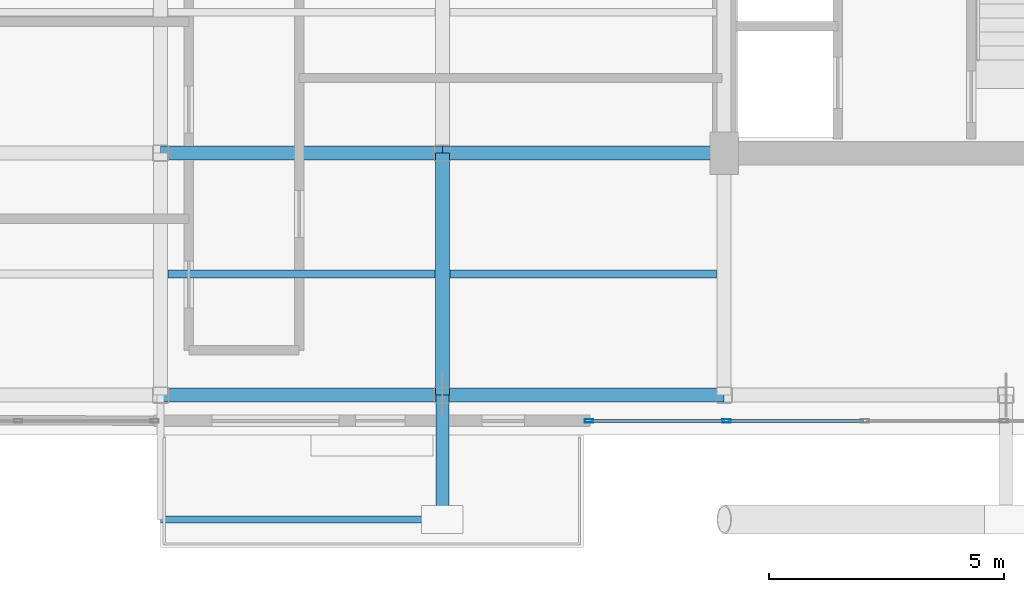
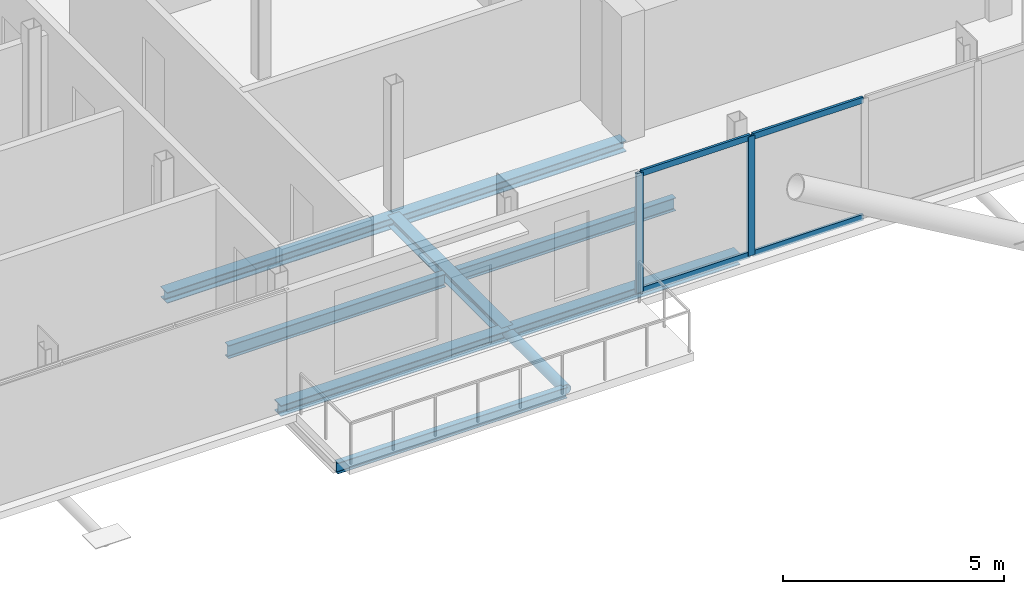
# One storey, part 4 of 18: 8 beams, 7 members, 1 element without a shape of its own.
"""IFC4 building model written with IfcOpenShell, lengths in metres."""

from ifc_helpers import new_model, si_unit, direction, frame, origin, origin_2d, place, context, subcontext, project, spatial, hollow_rectangle, hollow_circle, i_section, extrude, material, layer, layer_set, material_profile, profile_set, type_object, element, aggregate, save


model = new_model("IFC4")

# Units and contexts
model_context = context("Model", 3, precision=1e-05, world=origin(), true_north=direction((0.0, 1.0)))
body_context = subcontext(model_context, "Body", "Model", "MODEL_VIEW")
ifc_project = project(units=[si_unit("LENGTHUNIT", "METRE"), si_unit("AREAUNIT", "SQUARE_METRE"), si_unit("VOLUMEUNIT", "CUBIC_METRE"), si_unit("PLANEANGLEUNIT", "RADIAN"), si_unit("MASSUNIT", "GRAM", prefix="KILO"), si_unit("THERMODYNAMICTEMPERATUREUNIT", "KELVIN"), si_unit("POWERUNIT", "WATT")], contexts=[model_context])

# Site, building, storey
site_placement = place(None, origin())
site = spatial("IfcSite", under=ifc_project, at=site_placement, CompositionType="ELEMENT")
building_placement = place(site_placement, origin())
building = spatial("IfcBuilding", under=site, at=building_placement, Name="Svarakhadi Broadcast Tower", CompositionType="ELEMENT")
storey_placement = place(building_placement, frame((0.0, 0.0, 278.199951171875)))
storey = spatial("IfcBuildingStorey", under=building, at=storey_placement, Name="L70", CompositionType="ELEMENT", Elevation=278.199951171875)

# Beams
ifc_material_1 = material(Name="Steel S355J2 (IS 2062 E350C)", Category="steel")
ifc_material_profile_1 = material_profile(ifc_material_1, i_section(OverallWidth=0.169921875, OverallDepth=0.360107421875, WebThickness=0.008056640625, FlangeThickness=0.0126953125, FilletRadius=0.01806640625, at=origin_2d()), Name="NPB 360x170x57")
ifc_profile_set_1 = profile_set([ifc_material_profile_1], Name="Steel S355J2 (IS 2062 E350C)")
beam_type_1 = type_object("IfcBeamType", Name="Beam_NPB360", PredefinedType="BEAM", material=ifc_profile_set_1)
for number, where, z_axis, x_axis, name in (
    (1, (12.159912109375, 3.425048828125, -0.3798828125), (1.0, 0.0, 0.0), (0.0, 1.0, 0.0), "L70 Secondary Composite Beam SB007"),
    (2, (18.159912109375, 3.425048828125, -0.3798828125), (1.0, 0.0, 0.0), (0.0, 1.0, 0.0), "L70 Secondary Composite Beam SB010"),
):
    element("IfcBeam", number, at=place(storey_placement, frame(where, z_axis=z_axis, x_axis=x_axis)), inside=storey, type_object=beam_type_1, Name=name, PredefinedType="BEAM", context=body_context, shape_type="SweptSolid", body=[
        extrude(i_section(OverallWidth=0.169921875, OverallDepth=0.360107421875, WebThickness=0.008056640625, FlangeThickness=0.0126953125, FilletRadius=0.01806640625, at=origin_2d()), origin(), (0.0, 0.0, 1.0), 5.68017578125),
    ])

# Curtain wall, members
ifc_material_2 = material(Name="Anodised Bronze Aluminium AA 6063-T6", Category="aluminium")
ifc_layer = layer(ifc_material_2, 0.179931640625)
ifc_layer_set = layer_set([ifc_layer], Name="Anodised Bronze Aluminium AA 6063-T6")
curtain_wall_type = type_object("IfcCurtainWallType", Name="CW_Sys_05", PredefinedType="NOTDEFINED", material=ifc_layer_set)
curtain_wall_placement = place(storey_placement, origin())
curtain_wall = element("IfcCurtainWall", 3, at=curtain_wall_placement, inside=storey, type_object=curtain_wall_type, Name="L70 South Curtain Wall 16", PredefinedType="NOTDEFINED")
ifc_material_profile_2 = material_profile(ifc_material_2, hollow_rectangle(XDim=0.070068359375, YDim=0.179931640625, WallThickness=0.005615234375, at=origin_2d()), Name="ALU MULLION 180x70x6")
ifc_profile_set_2 = profile_set([ifc_material_profile_2], Name="Anodised Bronze Aluminium AA 6063-T6")
member_type_1 = type_object("IfcMemberType", Name="CW_Sys_05_Mul", PredefinedType="MULLION", material=ifc_profile_set_2)
member_1_placement = place(storey_placement, frame((24.044921875, 0.300048828125, 0.0), z_axis=(0.0, 0.0, 1.0), x_axis=(0.0, -1.0, 0.0)))
member_1 = element("IfcMember", 4, at=member_1_placement, type_object=member_type_1, Name="CW-05 mullion 4", PredefinedType="MULLION", context=body_context, shape_type="SweptSolid", body=[
    extrude(hollow_rectangle(XDim=0.070068359375, YDim=0.179931640625, WallThickness=0.005615234375, at=origin_2d()), origin(), (0.0, 0.0, 1.0), 3.300048828125),
])
member_2_placement = place(storey_placement, frame((21.125, 0.300048828125, 0.0), z_axis=(0.0, 0.0, 1.0), x_axis=(0.0, -1.0, 0.0)))
member_2 = element("IfcMember", 5, at=member_2_placement, type_object=member_type_1, Name="CW-05 mullion 5", PredefinedType="MULLION", context=body_context, shape_type="SweptSolid", body=[
    extrude(hollow_rectangle(XDim=0.070068359375, YDim=0.179931640625, WallThickness=0.005615234375, at=origin_2d()), origin(), (0.0, 0.0, 1.0), 3.300048828125),
])
ifc_material_profile_3 = material_profile(ifc_material_2, hollow_rectangle(XDim=0.06494140625, YDim=0.1650390625, WallThickness=0.0048828125, at=origin_2d()), Name="ALU TRANSOM 165x65x5")
ifc_profile_set_3 = profile_set([ifc_material_profile_3], Name="Anodised Bronze Aluminium AA 6063-T6")
member_type_2 = type_object("IfcMemberType", Name="CW_Sys_05_Trn", PredefinedType="USERDEFINED", material=ifc_profile_set_3)
member_3_placement = place(storey_placement, frame((26.965087890625, 0.300048828125, 0.032470703125), z_axis=(-1.0, 0.0, 0.0), x_axis=(0.0, -1.0, 0.0)))
member_3 = element("IfcMember", 6, at=member_3_placement, type_object=member_type_2, Name="CW-05 transom 3.1", ObjectType="TRANSOM", PredefinedType="USERDEFINED", context=body_context, shape_type="SweptSolid", body=[
    extrude(hollow_rectangle(XDim=0.06494140625, YDim=0.1650390625, WallThickness=0.0048828125, at=origin_2d()), origin(), (0.0, 0.0, 1.0), 2.885009765625),
])
member_4_placement = place(storey_placement, frame((26.965087890625, 0.300048828125, 3.267578125), z_axis=(-1.0, 0.0, 0.0), x_axis=(0.0, -1.0, 0.0)))
member_4 = element("IfcMember", 7, at=member_4_placement, type_object=member_type_2, Name="CW-05 transom 3.2", ObjectType="TRANSOM", PredefinedType="USERDEFINED", context=body_context, shape_type="SweptSolid", body=[
    extrude(hollow_rectangle(XDim=0.06494140625, YDim=0.1650390625, WallThickness=0.0048828125, at=origin_2d()), origin(), (0.0, 0.0, 1.0), 2.885009765625),
])
member_5_placement = place(storey_placement, frame((24.010009765625, 0.300048828125, 0.032470703125), z_axis=(-1.0, 0.0, 0.0), x_axis=(0.0, -1.0, 0.0)))
member_5 = element("IfcMember", 8, at=member_5_placement, type_object=member_type_2, Name="CW-05 transom 4.1", ObjectType="TRANSOM", PredefinedType="USERDEFINED", context=body_context, shape_type="SweptSolid", body=[
    extrude(hollow_rectangle(XDim=0.06494140625, YDim=0.1650390625, WallThickness=0.0048828125, at=origin_2d()), origin(), (0.0, 0.0, 1.0), 2.85009765625),
])
member_6_placement = place(storey_placement, frame((24.010009765625, 0.300048828125, 3.267578125), z_axis=(-1.0, 0.0, 0.0), x_axis=(0.0, -1.0, 0.0)))
member_6 = element("IfcMember", 9, at=member_6_placement, type_object=member_type_2, Name="CW-05 transom 4.2", ObjectType="TRANSOM", PredefinedType="USERDEFINED", context=body_context, shape_type="SweptSolid", body=[
    extrude(hollow_rectangle(XDim=0.06494140625, YDim=0.1650390625, WallThickness=0.0048828125, at=origin_2d()), origin(), (0.0, 0.0, 1.0), 2.85009765625),
])
aggregate(curtain_wall, [member_1, member_2, member_3, member_4, member_5, member_6])

# Member
ifc_material_3 = material(Name="Steel S460ML (IS 2062 E450BR)", Category="steel")
ifc_material_profile_4 = material_profile(ifc_material_3, hollow_circle(Radius=0.136474609375, WallThickness=0.012451171875, at=origin_2d()), Name="CHS 273x12.5")
ifc_profile_set_4 = profile_set([ifc_material_profile_4], Name="Steel S460ML (IS 2062 E450BR)")
member_type_3 = type_object("IfcMemberType", Name="Exo_Radial_Strut_Z3", PredefinedType="STRUT", material=ifc_profile_set_4)
member_7_placement = place(storey_placement, frame((18.0, -1.800048828125, -0.33642578125), z_axis=(0.0, 1.0, 0.0), x_axis=(-1.0, 0.0, 0.0)))
element("IfcMember", 10, at=member_7_placement, inside=storey, type_object=member_type_3, Name="L70 Exoskeleton Radial Tie Strut S02", PredefinedType="STRUT", context=body_context, shape_type="SweptSolid", body=[
    extrude(hollow_circle(Radius=0.136474609375, WallThickness=0.012451171875, at=origin_2d()), origin(), (0.0, 0.0, 1.0), 2.650146484375),
])

# Beams
ifc_material_profile_5 = material_profile(ifc_material_1, i_section(OverallWidth=0.300048828125, OverallDepth=0.300048828125, WebThickness=0.010986328125, FlangeThickness=0.01904296875, FilletRadius=0.027099609375, at=origin_2d()), Name="WPB 300x300x117")
ifc_profile_set_5 = profile_set([ifc_material_profile_5], Name="Steel S355J2 (IS 2062 E350C)")
beam_type_2 = type_object("IfcBeamType", Name="Girder_WPB300", PredefinedType="USERDEFINED", material=ifc_profile_set_5)
for number, where, z_axis, x_axis, name in (
    (11, (12.0, 0.85009765625, -0.349853515625), (1.0, 0.0, 0.0), (0.0, 1.0, 0.0), "L70 Primary E-W Girder G005"),
    (12, (18.0, 0.85009765625, -0.349853515625), (1.0, 0.0, 0.0), (0.0, 1.0, 0.0), "L70 Primary E-W Girder G006"),
    (13, (12.0, 6.0, -0.349853515625), (1.0, 0.0, 0.0), (0.0, 1.0, 0.0), "L70 Primary E-W Girder G010"),
    (14, (18.0, 6.0, -0.349853515625), (1.0, 0.0, 0.0), (0.0, 1.0, 0.0), "L70 Primary E-W Girder G011"),
):
    element("IfcBeam", number, at=place(storey_placement, frame(where, z_axis=z_axis, x_axis=x_axis)), inside=storey, type_object=beam_type_2, Name=name, ObjectType="GIRDER", PredefinedType="USERDEFINED", context=body_context, shape_type="SweptSolid", body=[
        extrude(i_section(OverallWidth=0.300048828125, OverallDepth=0.300048828125, WebThickness=0.010986328125, FlangeThickness=0.01904296875, FilletRadius=0.027099609375, at=origin_2d()), origin(), (0.0, 0.0, 1.0), 6.0),
    ])
beam_1_placement = place(storey_placement, frame((18.0, 0.85009765625, -0.349853515625), z_axis=(0.0, 1.0, 0.0), x_axis=(-1.0, 0.0, 0.0)))
element("IfcBeam", 15, at=beam_1_placement, inside=storey, type_object=beam_type_2, Name="L70 Primary N-S Girder G036", ObjectType="GIRDER", PredefinedType="USERDEFINED", context=body_context, shape_type="SweptSolid", body=[
    extrude(i_section(OverallWidth=0.300048828125, OverallDepth=0.300048828125, WebThickness=0.010986328125, FlangeThickness=0.01904296875, FilletRadius=0.027099609375, at=origin_2d()), origin(), (0.0, 0.0, 1.0), 5.14990234375),
])
ifc_material_profile_6 = material_profile(ifc_material_1, i_section(OverallWidth=0.14990234375, OverallDepth=0.300048828125, WebThickness=0.007080078125, FlangeThickness=0.0107421875, FilletRadius=0.014892578125, at=origin_2d()), Name="NPB 300x150x37")
ifc_profile_set_6 = profile_set([ifc_material_profile_6], Name="Steel S355J2 (IS 2062 E350C)")
beam_type_3 = type_object("IfcBeamType", Name="Spandrel_NPB300", PredefinedType="SPANDREL", material=ifc_profile_set_6)
beam_2_placement = place(storey_placement, frame((12.0, -1.800048828125, -0.375), z_axis=(1.0, 0.0, 0.0), x_axis=(0.0, 1.0, 0.0)))
element("IfcBeam", 16, at=beam_2_placement, inside=storey, type_object=beam_type_3, Name="L70 Balcony Outer Spandrel 1F", PredefinedType="SPANDREL", context=body_context, shape_type="SweptSolid", body=[
    extrude(i_section(OverallWidth=0.14990234375, OverallDepth=0.300048828125, WebThickness=0.007080078125, FlangeThickness=0.0107421875, FilletRadius=0.014892578125, at=origin_2d()), origin(), (0.0, 0.0, 1.0), 6.0),
])

save(model, "model.ifc")
